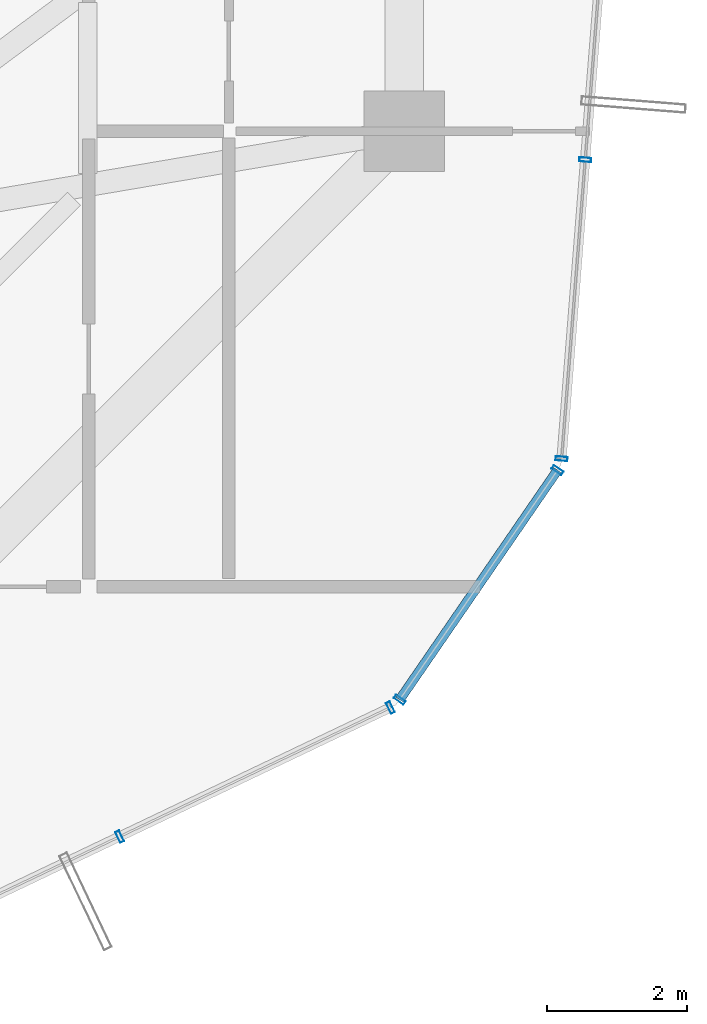
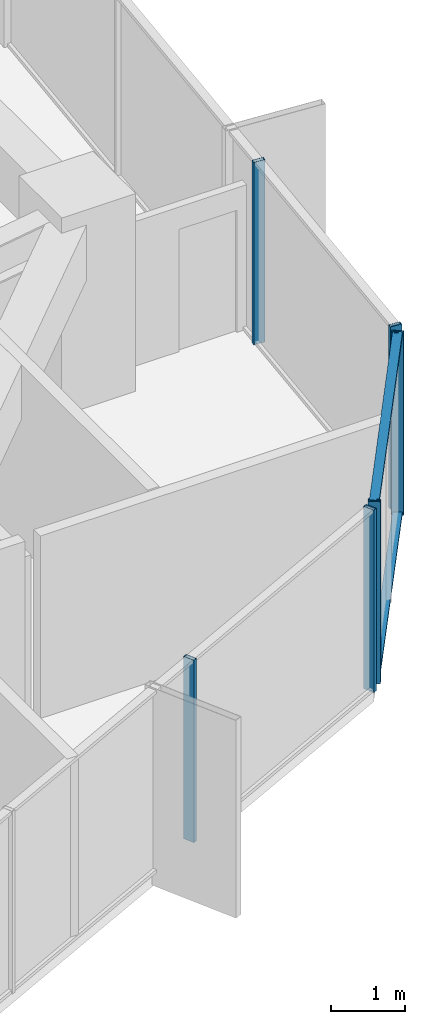
# One storey, part 12 of 30: 8 members, 3 elements without a shape of their own.
"""IFC4 building model written with IfcOpenShell, lengths in metres."""

import ifcopenshell
import ifcopenshell.guid

model = None  # the IFC model being written
_history = None  # IfcOwnerHistory: only IFC2X3 demands one
_inside = {}  # id of a spatial element -> (the spatial element, [elements in it])
_under = {}  # id of a project, library or spatial element -> (it, [spatial elements below it])
_declared = {}  # id of a project -> (the project, [libraries it declares])
_typed = {}  # id of a type object -> (the type object, [elements of that type])
_made_of = {}  # id of a material, layer set ... -> (it, [elements and type objects made of it])


def new_model(schema):
    """Start an empty IFC model of exactly this schema.

    Asked for "IFC4X3", IfcOpenShell would pick the latest addendum, in which some entities
    have other attributes; the version numbers below select the first issue.
    IFC2X3 requires an IfcOwnerHistory on every rooted entity: one is made here for all.
    """
    global model, _history
    if schema == "IFC4X3":
        model = ifcopenshell.file(schema_version=(4, 3, 0, 0))
    else:
        model = ifcopenshell.file(schema=schema)
    _inside.clear()
    _under.clear()
    _declared.clear()
    _typed.clear()
    _made_of.clear()
    _history = None
    if model.schema == "IFC2X3":
        org = make("IfcOrganization", Name="unknown")
        user = make(
            "IfcPersonAndOrganization",
            ThePerson=make("IfcPerson", FamilyName="unknown"),
            TheOrganization=org,
        )
        app = make(
            "IfcApplication",
            ApplicationDeveloper=org,
            Version="unknown",
            ApplicationFullName="unknown",
            ApplicationIdentifier="unknown",
        )
        _history = make(
            "IfcOwnerHistory",
            OwningUser=user,
            OwningApplication=app,
            ChangeAction="ADDED",
            CreationDate=0,
        )
    return model


def make(cls, **values):
    """One entity of the class cls with the attributes given. An attribute that is None is left unset."""
    return model.create_entity(
        cls, **{name: value for name, value in values.items() if value is not None}
    )


def rooted(cls, **values):
    """An entity with a GlobalId (a new one), such as an element, a storey or a relation."""
    return make(cls, GlobalId=ifcopenshell.guid.new(), OwnerHistory=_history, **values)


def si_unit(unit_type, name, prefix=None):
    """IfcSIUnit, for example si_unit("LENGTHUNIT", "METRE", prefix="MILLI")."""
    return make("IfcSIUnit", UnitType=unit_type, Prefix=prefix, Name=name)


def assignment(units):
    """IfcUnitAssignment: the units of a project."""
    return None if units is None else make("IfcUnitAssignment", Units=units)


def point(xyz):
    """IfcCartesianPoint."""
    return None if xyz is None else make("IfcCartesianPoint", Coordinates=xyz)


def direction(xyz):
    """IfcDirection."""
    return None if xyz is None else make("IfcDirection", DirectionRatios=xyz)


def frame(location, z_axis=None, x_axis=None):
    """IfcAxis2Placement3D, a coordinate frame: its origin and axes. An axis left out is left unset."""
    return make(
        "IfcAxis2Placement3D",
        Location=point(location),
        Axis=direction(z_axis),
        RefDirection=direction(x_axis),
    )


def frame_2d(location, x_axis=None):
    """IfcAxis2Placement2D, a coordinate frame in the plane: its origin and x axis."""
    return make(
        "IfcAxis2Placement2D", Location=point(location), RefDirection=direction(x_axis)
    )


def origin():
    """The frame at (0, 0, 0) with its axes left unset."""
    return frame((0.0, 0.0, 0.0))


def origin_2d():
    """The frame at (0, 0) in the plane with its x axis left unset."""
    return frame_2d((0.0, 0.0))


def place(relative_to, where):
    """IfcLocalPlacement: puts the frame where relative to a parent placement (None: the world)."""
    return make(
        "IfcLocalPlacement", PlacementRelTo=relative_to, RelativePlacement=where
    )


def context(
    kind, dimensions, precision=None, world=None, true_north=None, identifier=None
):
    """IfcGeometricRepresentationContext, for example the 3D "Model" context."""
    return make(
        "IfcGeometricRepresentationContext",
        ContextIdentifier=identifier,
        ContextType=kind,
        CoordinateSpaceDimension=dimensions,
        Precision=precision,
        WorldCoordinateSystem=world,
        TrueNorth=true_north,
    )


def subcontext(parent, identifier, kind, view, scale=None):
    """IfcGeometricRepresentationSubContext, for example "Body" below "Model"."""
    return make(
        "IfcGeometricRepresentationSubContext",
        ContextIdentifier=identifier,
        ContextType=kind,
        ParentContext=parent,
        TargetScale=scale,
        TargetView=view,
    )


def project(units=None, contexts=None):
    """IfcProject with its units and contexts."""
    return rooted(
        "IfcProject",
        Name="project",
        RepresentationContexts=contexts,
        UnitsInContext=assignment(units),
    )


def spatial(cls, under=None, at=None, **own):
    """A site, building, storey or space (cls), placed at a placement, below another one or the project."""
    s = rooted(cls, ObjectPlacement=at, **own)
    if under is not None:
        _under.setdefault(under.id(), (under, []))[1].append(s)
    return s


def profile(cls, at=None, kind="AREA", **sizes):
    """A parametric profile (cls). Its sizes go by their IFC names, for example OverallWidth=200.0."""
    return make(cls, ProfileType=kind, Position=at, **sizes)


def hollow_rectangle(**sizes):
    """IfcRectangleHollowProfileDef."""
    return profile("IfcRectangleHollowProfileDef", **sizes)


def extrude(swept, where, along, depth):
    """IfcExtrudedAreaSolid: the profile swept, set in the frame where, extruded along a direction by depth."""
    return make(
        "IfcExtrudedAreaSolid",
        SweptArea=swept,
        Position=where,
        ExtrudedDirection=direction(along),
        Depth=depth,
    )


def shape(context_of_items, identifier, shape_type, items):
    """IfcShapeRepresentation: the items that make up one representation, for example the "Body"."""
    return make(
        "IfcShapeRepresentation",
        ContextOfItems=context_of_items,
        RepresentationIdentifier=identifier,
        RepresentationType=shape_type,
        Items=items,
    )


def source(mapping_origin, context_of_items, identifier, shape_type, items):
    """IfcRepresentationMap: a shape defined once, which mapped items show again and again."""
    return make(
        "IfcRepresentationMap",
        MappingOrigin=mapping_origin,
        MappedRepresentation=shape(context_of_items, identifier, shape_type, items),
    )


def transform(
    local_origin,
    x_axis=None,
    y_axis=None,
    z_axis=None,
    scale=None,
    scale2=None,
    scale3=None,
    uniform=True,
):
    """IfcCartesianTransformationOperator3D, or its non-uniform kind. x_axis, y_axis, z_axis: its Axis1, 2, 3."""
    if uniform:
        return make(
            "IfcCartesianTransformationOperator3D",
            Axis1=direction(x_axis),
            Axis2=direction(y_axis),
            LocalOrigin=point(local_origin),
            Scale=scale,
            Axis3=direction(z_axis),
        )
    return make(
        "IfcCartesianTransformationOperator3DnonUniform",
        Axis1=direction(x_axis),
        Axis2=direction(y_axis),
        LocalOrigin=point(local_origin),
        Scale=scale,
        Axis3=direction(z_axis),
        Scale2=scale2,
        Scale3=scale3,
    )


def mapped(mapping_source, mapping_target):
    """IfcMappedItem: shows the shape of a source again, moved by a transform."""
    return make(
        "IfcMappedItem", MappingSource=mapping_source, MappingTarget=mapping_target
    )


def material(Name=None, Category=None):
    """IfcMaterial."""
    return make("IfcMaterial", Name=Name, Category=Category)


def layer(
    of_material, thickness, ventilated=None, Name=None, Category=None, Priority=None
):
    """IfcMaterialLayer: one layer of a wall or slab, of a material (None: an air gap)."""
    return make(
        "IfcMaterialLayer",
        Material=of_material,
        LayerThickness=thickness,
        IsVentilated=ventilated,
        Name=Name,
        Category=Category,
        Priority=Priority,
    )


def layer_set(layers, Name=None):
    """IfcMaterialLayerSet."""
    return make("IfcMaterialLayerSet", MaterialLayers=layers, LayerSetName=Name)


def material_profile(
    of_material, cross_section, Name=None, Category=None, Priority=None
):
    """IfcMaterialProfile: a cross section and its material."""
    return make(
        "IfcMaterialProfile",
        Name=Name,
        Material=of_material,
        Profile=cross_section,
        Priority=Priority,
        Category=Category,
    )


def profile_set(profiles, Name=None, composite=None):
    """IfcMaterialProfileSet."""
    return make(
        "IfcMaterialProfileSet",
        Name=Name,
        MaterialProfiles=profiles,
        CompositeProfile=composite,
    )


def made_of(thing, what):
    """Note that an element or type object is made of a material, layer set ...; save() writes the relation."""
    if what is not None:
        _made_of.setdefault(what.id(), (what, []))[1].append(thing)
    return thing


def type_object(cls, material=None, **own):
    """A type object (cls), such as IfcWallType, which elements share."""
    return made_of(rooted(cls, **own), material)


def element(
    cls,
    number,
    at=None,
    inside=None,
    cuts=None,
    type_object=None,
    material=None,
    context=None,
    identifier="Body",
    shape_type=None,
    held_by="IfcProductDefinitionShape",
    body=None,
    shapes=None,
    **own,
):
    """One element of the class cls, such as IfcWall. Its Tag is "e" and its number.

    at: its placement. inside: the storey or other place that contains it. cuts: it is an
    opening in that element (IfcRelVoidsElement). A single representation is given by context,
    identifier, shape_type and body (its items); several are given by shapes. held_by: the class
    of the entity that holds the representations. save() writes the other relations.
    """
    e = rooted(cls, Tag="e%d" % number, ObjectPlacement=at, **own)
    if body is not None:
        shapes = [shape(context, identifier, shape_type, body)]
    if shapes is not None:
        e.Representation = make(held_by, Representations=shapes)
    if inside is not None:
        _inside.setdefault(inside.id(), (inside, []))[1].append(e)
    if cuts is not None:
        rooted(
            "IfcRelVoidsElement", RelatingBuildingElement=cuts, RelatedOpeningElement=e
        )
    if type_object is not None:
        _typed.setdefault(type_object.id(), (type_object, []))[1].append(e)
    return made_of(e, material)


def aggregate(whole, parts):
    """IfcRelAggregates: a whole, such as a stair, and the parts it consists of."""
    return rooted("IfcRelAggregates", RelatingObject=whole, RelatedObjects=parts)


def save(model, path):
    """Write the relations noted so far, then the file.

    IfcRelAggregates (storeys below a building ...), IfcRelContainedInSpatialStructure (elements
    in a storey), IfcRelDefinesByType, IfcRelAssociatesMaterial and IfcRelDeclares: one each for
    every whole, place, type object, material and project.
    """
    for whole, parts in _under.values():
        aggregate(whole, parts)
    for where, things in _inside.values():
        rooted(
            "IfcRelContainedInSpatialStructure",
            RelatedElements=things,
            RelatingStructure=where,
        )
    for kind, things in _typed.values():
        rooted("IfcRelDefinesByType", RelatedObjects=things, RelatingType=kind)
    for what, things in _made_of.values():
        rooted("IfcRelAssociatesMaterial", RelatedObjects=things, RelatingMaterial=what)
    for by, libraries in _declared.values():
        rooted("IfcRelDeclares", RelatingContext=by, RelatedDefinitions=libraries)
    model.write(path)


model = new_model("IFC4")

# Units and contexts
model_context = context("Model", 3, precision=1e-05, world=origin(), true_north=direction((0.0, 1.0)))
body_context = subcontext(model_context, "Body", "Model", "MODEL_VIEW")
ifc_project = project(units=[si_unit("LENGTHUNIT", "METRE"), si_unit("AREAUNIT", "SQUARE_METRE"), si_unit("VOLUMEUNIT", "CUBIC_METRE"), si_unit("PLANEANGLEUNIT", "RADIAN"), si_unit("MASSUNIT", "GRAM", prefix="KILO")], contexts=[model_context])

# Site, building, storey
site_placement = place(None, origin())
site = spatial("IfcSite", under=ifc_project, at=site_placement, CompositionType="ELEMENT")
building_placement = place(site_placement, origin())
building = spatial("IfcBuilding", under=site, at=building_placement, Name="Veraguas Prism Commons", CompositionType="ELEMENT")
storey_placement = place(building_placement, frame((0.0, 0.0, 113.25)))
storey = spatial("IfcBuildingStorey", under=building, at=storey_placement, Name="L31", CompositionType="ELEMENT", Elevation=113.25)

# Curtain wall, members
ifc_material = material(Name="Anodised aluminium EN AW-6063 T6", Category="aluminium")
ifc_layer = layer(ifc_material, 0.169921875, Name="Unitised Flush Curtain Wall Zone 2", Category="aluminium")
ifc_layer_set = layer_set([ifc_layer], Name="Anodised aluminium EN AW-6063 T6")
curtain_wall_type = type_object("IfcCurtainWallType", Name="Unitised Flush Curtain Wall Zone 2", PredefinedType="NOTDEFINED", material=ifc_layer_set)
curtain_wall_1_placement = place(storey_placement, origin())
curtain_wall_1 = element("IfcCurtainWall", 1, at=curtain_wall_1_placement, inside=storey, type_object=curtain_wall_type, Name="Tower Facade Curtain Wall L31-F5", PredefinedType="NOTDEFINED")
ifc_material_profile_1 = material_profile(ifc_material, hollow_rectangle(XDim=0.06005859375, YDim=0.169921875, WallThickness=0.00390625, at=origin_2d()), Name="AL60X170X4")
ifc_profile_set_1 = profile_set([ifc_material_profile_1], Name="Anodised aluminium EN AW-6063 T6")
member_type_1 = type_object("IfcMemberType", Name="Curtain Wall Mullion Lower AL 60x170x4", PredefinedType="MULLION", material=ifc_profile_set_1)
shared_shape_1 = source(origin(), body_context, "Body", "SweptSolid", [
    extrude(hollow_rectangle(XDim=0.06005859375, YDim=0.169921875, WallThickness=0.00390625, at=origin_2d()), origin(), (0.0, 0.0, 1.0), 3.0),
])
member_1_placement = place(storey_placement, frame((36.1416015625, 8.536865234375, 0.0), z_axis=(0.0, 0.0, 1.0), x_axis=(0.902734004407, 0.430199160025, 0.0)))
member_1 = element("IfcMember", 2, at=member_1_placement, type_object=member_type_1, Name="CW-Z2 Mullion 4", PredefinedType="MULLION", context=body_context, shape_type="MappedRepresentation", body=[
    mapped(shared_shape_1, transform((0.0, 0.0, 0.0), scale=1.0)),
])
member_2_placement = place(storey_placement, frame((40.004150390625, 10.37744140625, 0.0), z_axis=(0.0, 0.0, 1.0), x_axis=(0.902734004407, 0.430199160025, 0.0)))
member_2 = element("IfcMember", 3, at=member_2_placement, type_object=member_type_1, Name="CW-Z2 Mullion 5", PredefinedType="MULLION", context=body_context, shape_type="MappedRepresentation", body=[
    mapped(shared_shape_1, transform((0.0, 0.0, 0.0), scale=1.0)),
])
aggregate(curtain_wall_1, [member_1, member_2])

curtain_wall_2_placement = place(storey_placement, origin())
curtain_wall_2 = element("IfcCurtainWall", 4, at=curtain_wall_2_placement, inside=storey, type_object=curtain_wall_type, Name="Tower Facade Curtain Wall L31-F6", PredefinedType="NOTDEFINED")
member_3_placement = place(storey_placement, frame((42.446044921875, 13.927734375, 0.0), z_axis=(0.0, 0.0, 1.0), x_axis=(0.078807080738, 0.996889885607, 0.0)))
member_3 = element("IfcMember", 5, at=member_3_placement, type_object=member_type_1, Name="CW-Z2 Mullion 1", PredefinedType="MULLION", context=body_context, shape_type="MappedRepresentation", body=[
    mapped(shared_shape_1, transform((0.0, 0.0, 0.0), scale=1.0)),
])
member_4_placement = place(storey_placement, frame((42.783203125, 18.193115234375, 0.0), z_axis=(0.0, 0.0, 1.0), x_axis=(0.078807080738, 0.996889885607, 0.0)))
member_4 = element("IfcMember", 6, at=member_4_placement, type_object=member_type_1, Name="CW-Z2 Mullion 2", PredefinedType="MULLION", context=body_context, shape_type="MappedRepresentation", body=[
    mapped(shared_shape_1, transform((0.0, 0.0, 0.0), scale=1.0)),
])
aggregate(curtain_wall_2, [member_3, member_4])

curtain_wall_3_placement = place(storey_placement, origin())
curtain_wall_3 = element("IfcCurtainWall", 7, at=curtain_wall_3_placement, inside=storey, type_object=curtain_wall_type, Name="Chamfer Curtain Wall L31-C6", PredefinedType="NOTDEFINED")
member_5_placement = place(storey_placement, frame((40.136474609375, 10.490234375, 0.0), z_axis=(0.0, 0.0, 1.0), x_axis=(0.566692438693, 0.823929414409, 0.0)))
member_5 = element("IfcMember", 8, at=member_5_placement, type_object=member_type_1, Name="CW-Z2 Mullion 1", PredefinedType="MULLION", context=body_context, shape_type="MappedRepresentation", body=[
    mapped(shared_shape_1, transform((0.0, 0.0, 0.0), scale=1.0)),
])
member_6_placement = place(storey_placement, frame((42.387939453125, 13.763916015625, 0.0), z_axis=(0.0, 0.0, 1.0), x_axis=(0.566692438693, 0.823929414409, 0.0)))
member_6 = element("IfcMember", 9, at=member_6_placement, type_object=member_type_1, Name="CW-Z2 Mullion 2", PredefinedType="MULLION", context=body_context, shape_type="MappedRepresentation", body=[
    mapped(shared_shape_1, transform((0.0, 0.0, 0.0), scale=1.0)),
])
ifc_material_profile_2 = material_profile(ifc_material, hollow_rectangle(XDim=0.054931640625, YDim=0.135009765625, WallThickness=0.0029296875, at=origin_2d()), Name="AL55X135X3")
ifc_profile_set_2 = profile_set([ifc_material_profile_2], Name="Anodised aluminium EN AW-6063 T6")
member_type_2 = type_object("IfcMemberType", Name="Curtain Wall Transom Standard AL 55x135x3", PredefinedType="USERDEFINED", material=ifc_profile_set_2)
shared_shape_2 = source(origin(), body_context, "Body", "SweptSolid", [
    extrude(hollow_rectangle(XDim=0.054931640625, YDim=0.135009765625, WallThickness=0.0029296875, at=origin_2d()), origin(), (0.0, 0.0, 1.0), 3.97314453125),
])
member_7_placement = place(storey_placement, frame((40.136474609375, 10.490234375, 0.027587890625), z_axis=(0.566667030603, 0.823946889325, 0.0), x_axis=(0.0, 0.0, 1.0)))
member_7 = element("IfcMember", 10, at=member_7_placement, type_object=member_type_2, Name="CW-Z2 Transom 1", ObjectType="TRANSOM", PredefinedType="USERDEFINED", context=body_context, shape_type="MappedRepresentation", body=[
    mapped(shared_shape_2, transform((0.0, 0.0, 0.0), scale=1.0)),
])
member_8_placement = place(storey_placement, frame((40.136474609375, 10.490234375, 2.972412109375), z_axis=(0.566667030603, 0.823946889325, 0.0), x_axis=(0.0, 0.0, 1.0)))
member_8 = element("IfcMember", 11, at=member_8_placement, type_object=member_type_2, Name="CW-Z2 Transom 2", ObjectType="TRANSOM", PredefinedType="USERDEFINED", context=body_context, shape_type="MappedRepresentation", body=[
    mapped(shared_shape_2, transform((0.0, 0.0, 0.0), scale=1.0)),
])
aggregate(curtain_wall_3, [member_5, member_6, member_7, member_8])

save(model, "model.ifc")
